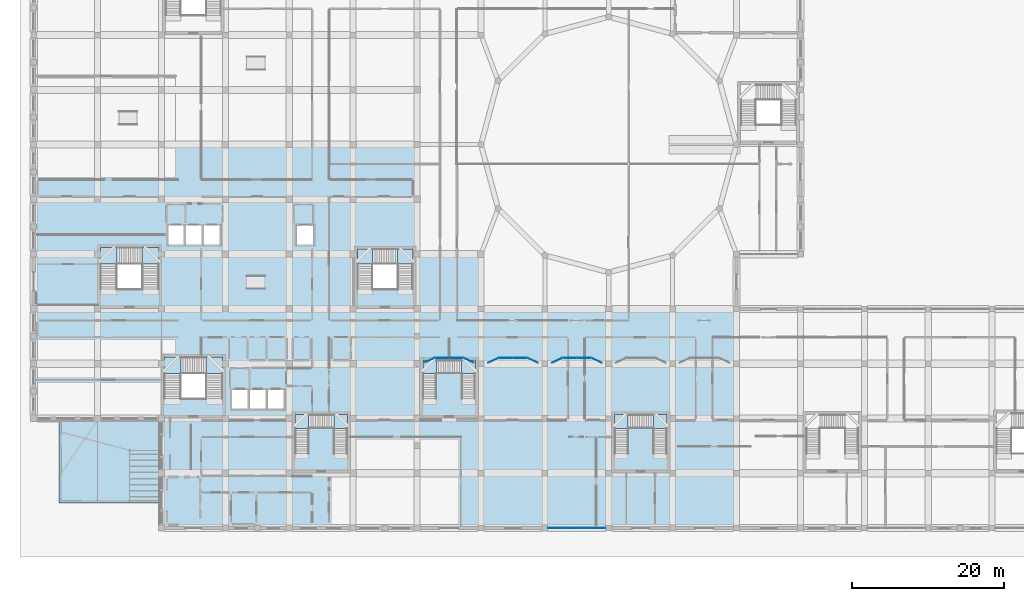
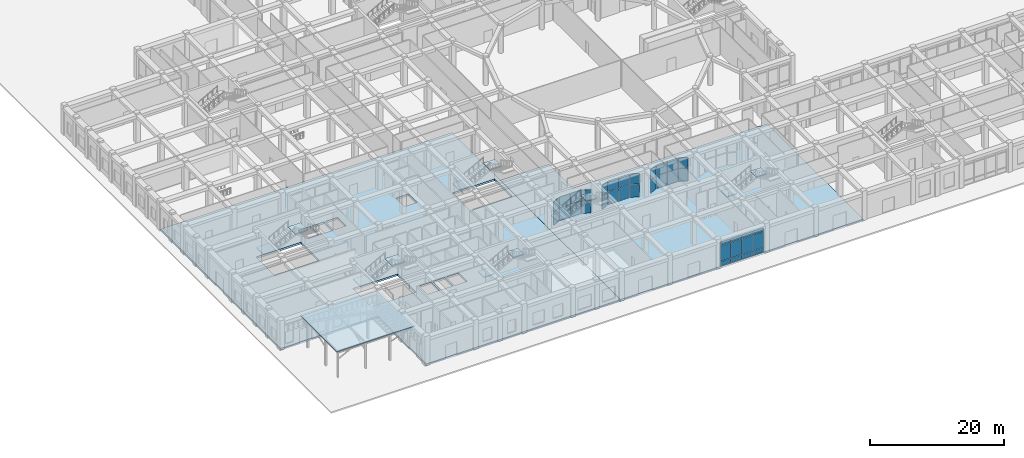
# One storey, part 51 of 84: 36 plates, 15 slabs, 16 elements without a shape of their own.
"""IFC4 building model written with IfcOpenShell, lengths in metres."""

from ifc_helpers import new_model, si_unit, derived_unit, direction, frame, origin, origin_2d, place, context, subcontext, project, spatial, polyline, rectangle, outline, extrude, material, layer, layer_set, type_object, element, aggregate, save


model = new_model("IFC4")

# Units and contexts
model_context = context("Model", 3, precision=1e-05, world=origin(), true_north=direction((0.0, 1.0)))
body_context = subcontext(model_context, "Body", "Model", "MODEL_VIEW")
ifc_project = project(units=[si_unit("LENGTHUNIT", "METRE"), si_unit("AREAUNIT", "SQUARE_METRE"), si_unit("VOLUMEUNIT", "CUBIC_METRE"), si_unit("PLANEANGLEUNIT", "RADIAN"), si_unit("MASSUNIT", "GRAM", prefix="KILO"), derived_unit("THERMALTRANSMITTANCEUNIT", [(si_unit("POWERUNIT", "WATT"), 1), (si_unit("LENGTHUNIT", "METRE"), -2), (si_unit("THERMODYNAMICTEMPERATUREUNIT", "KELVIN"), -1)])], contexts=[model_context])

# Site, building, storey
site_placement = place(None, origin())
site = spatial("IfcSite", under=ifc_project, at=site_placement, CompositionType="ELEMENT")
building_placement = place(site_placement, origin())
building = spatial("IfcBuilding", under=site, at=building_placement, Name="Veybourne Emporium", CompositionType="ELEMENT")
storey_placement = place(building_placement, origin())
storey = spatial("IfcBuildingStorey", under=building, at=storey_placement, Name="L00", CompositionType="ELEMENT", Elevation=0.0)

# Curtain wall, plates
ifc_material_1 = material(Name="Patinated Architectural Bronze", Category="bronze")
curtain_wall_type_1 = type_object("IfcCurtainWallType", Name="CWSystem_CWS-04", PredefinedType="NOTDEFINED", material=ifc_material_1)
curtain_wall_1_placement = place(storey_placement, origin())
curtain_wall_1 = element("IfcCurtainWall", 1, at=curtain_wall_1_placement, inside=storey, type_object=curtain_wall_type_1, Name="L00 bronze glazed curtain wall CWS-04 (033)", PredefinedType="NOTDEFINED")
ifc_material_2 = material(Name="Solar Control Laminated Glass", Category="glass")
ifc_layer_1 = layer(ifc_material_2, 0.035888671875)
ifc_layer_set_1 = layer_set([ifc_layer_1], Name="Solar Control Laminated Glass")
plate_type_1 = type_object("IfcPlateType", Name="CWPanel_CW-P2", PredefinedType="CURTAIN_PANEL", material=ifc_layer_set_1)
plate_1_placement = place(storey_placement, frame((74.2294921875, 0.0, 0.070068359375), z_axis=(0.0, 0.0, 1.0), x_axis=(-1.0, 0.0, 0.0)))
plate_1 = element("IfcPlate", 2, at=plate_1_placement, type_object=plate_type_1, Name="CWS-04 panel 1.1", PredefinedType="CURTAIN_PANEL", context=body_context, shape_type="SweptSolid", body=[
    extrude(rectangle(XDim=1.80126953125, YDim=0.035888671875, at=origin_2d()), origin(), (0.0, 0.0, 1.0), 0.794921875),
])
plate_2_placement = place(storey_placement, frame((74.2294921875, 0.0, 0.93505859375), z_axis=(0.0, 0.0, 1.0), x_axis=(-1.0, 0.0, 0.0)))
plate_2 = element("IfcPlate", 3, at=plate_2_placement, type_object=plate_type_1, Name="CWS-04 panel 1.2", PredefinedType="CURTAIN_PANEL", context=body_context, shape_type="SweptSolid", body=[
    extrude(rectangle(XDim=1.80126953125, YDim=0.035888671875, at=origin_2d()), origin(), (0.0, 0.0, 1.0), 2.81005859375),
])
plate_3_placement = place(storey_placement, frame((74.2294921875, 0.0, 3.81494140625), z_axis=(0.0, 0.0, 1.0), x_axis=(-1.0, 0.0, 0.0)))
plate_3 = element("IfcPlate", 4, at=plate_3_placement, type_object=plate_type_1, Name="CWS-04 panel 1.3", PredefinedType="CURTAIN_PANEL", context=body_context, shape_type="SweptSolid", body=[
    extrude(rectangle(XDim=1.80126953125, YDim=0.035888671875, at=origin_2d()), origin(), (0.0, 0.0, 1.0), 0.64501953125),
])
plate_4_placement = place(storey_placement, frame((72.340576171875, 0.0, 0.070068359375), z_axis=(0.0, 0.0, 1.0), x_axis=(-1.0, 0.0, 0.0)))
plate_4 = element("IfcPlate", 5, at=plate_4_placement, type_object=plate_type_1, Name="CWS-04 panel 2.1", PredefinedType="CURTAIN_PANEL", context=body_context, shape_type="SweptSolid", body=[
    extrude(rectangle(XDim=1.836181640625, YDim=0.035888671875, at=origin_2d()), origin(), (0.0, 0.0, 1.0), 0.794921875),
])
plate_5_placement = place(storey_placement, frame((72.340576171875, 0.0, 0.93505859375), z_axis=(0.0, 0.0, 1.0), x_axis=(-1.0, 0.0, 0.0)))
plate_5 = element("IfcPlate", 6, at=plate_5_placement, type_object=plate_type_1, Name="CWS-04 panel 2.2", PredefinedType="CURTAIN_PANEL", context=body_context, shape_type="SweptSolid", body=[
    extrude(rectangle(XDim=1.836181640625, YDim=0.035888671875, at=origin_2d()), origin(), (0.0, 0.0, 1.0), 2.81005859375),
])
plate_6_placement = place(storey_placement, frame((72.340576171875, 0.0, 3.81494140625), z_axis=(0.0, 0.0, 1.0), x_axis=(-1.0, 0.0, 0.0)))
plate_6 = element("IfcPlate", 7, at=plate_6_placement, type_object=plate_type_1, Name="CWS-04 panel 2.3", PredefinedType="CURTAIN_PANEL", context=body_context, shape_type="SweptSolid", body=[
    extrude(rectangle(XDim=1.836181640625, YDim=0.035888671875, at=origin_2d()), origin(), (0.0, 0.0, 1.0), 0.64501953125),
])
plate_7_placement = place(storey_placement, frame((70.434326171875, 0.0, 0.070068359375), z_axis=(0.0, 0.0, 1.0), x_axis=(-1.0, 0.0, 0.0)))
plate_7 = element("IfcPlate", 8, at=plate_7_placement, type_object=plate_type_1, Name="CWS-04 panel 3.1", PredefinedType="CURTAIN_PANEL", context=body_context, shape_type="SweptSolid", body=[
    extrude(rectangle(XDim=1.836181640625, YDim=0.035888671875, at=origin_2d()), origin(), (0.0, 0.0, 1.0), 0.794921875),
])
plate_8_placement = place(storey_placement, frame((70.434326171875, 0.0, 0.93505859375), z_axis=(0.0, 0.0, 1.0), x_axis=(-1.0, 0.0, 0.0)))
plate_8 = element("IfcPlate", 9, at=plate_8_placement, type_object=plate_type_1, Name="CWS-04 panel 3.2", PredefinedType="CURTAIN_PANEL", context=body_context, shape_type="SweptSolid", body=[
    extrude(rectangle(XDim=1.836181640625, YDim=0.035888671875, at=origin_2d()), origin(), (0.0, 0.0, 1.0), 2.81005859375),
])
plate_9_placement = place(storey_placement, frame((70.434326171875, 0.0, 3.81494140625), z_axis=(0.0, 0.0, 1.0), x_axis=(-1.0, 0.0, 0.0)))
plate_9 = element("IfcPlate", 10, at=plate_9_placement, type_object=plate_type_1, Name="CWS-04 panel 3.3", PredefinedType="CURTAIN_PANEL", context=body_context, shape_type="SweptSolid", body=[
    extrude(rectangle(XDim=1.836181640625, YDim=0.035888671875, at=origin_2d()), origin(), (0.0, 0.0, 1.0), 0.64501953125),
])
plate_10_placement = place(storey_placement, frame((68.545654296875, 0.0, 0.070068359375), z_axis=(0.0, 0.0, 1.0), x_axis=(-1.0, 0.0, 0.0)))
plate_10 = element("IfcPlate", 11, at=plate_10_placement, type_object=plate_type_1, Name="CWS-04 panel 4.1", PredefinedType="CURTAIN_PANEL", context=body_context, shape_type="SweptSolid", body=[
    extrude(rectangle(XDim=1.80126953125, YDim=0.035888671875, at=origin_2d()), origin(), (0.0, 0.0, 1.0), 0.794921875),
])
plate_11_placement = place(storey_placement, frame((68.545654296875, 0.0, 0.93505859375), z_axis=(0.0, 0.0, 1.0), x_axis=(-1.0, 0.0, 0.0)))
plate_11 = element("IfcPlate", 12, at=plate_11_placement, type_object=plate_type_1, Name="CWS-04 panel 4.2", PredefinedType="CURTAIN_PANEL", context=body_context, shape_type="SweptSolid", body=[
    extrude(rectangle(XDim=1.80126953125, YDim=0.035888671875, at=origin_2d()), origin(), (0.0, 0.0, 1.0), 2.81005859375),
])
plate_12_placement = place(storey_placement, frame((68.545654296875, 0.0, 3.81494140625), z_axis=(0.0, 0.0, 1.0), x_axis=(-1.0, 0.0, 0.0)))
plate_12 = element("IfcPlate", 13, at=plate_12_placement, type_object=plate_type_1, Name="CWS-04 panel 4.3", PredefinedType="CURTAIN_PANEL", context=body_context, shape_type="SweptSolid", body=[
    extrude(rectangle(XDim=1.80126953125, YDim=0.035888671875, at=origin_2d()), origin(), (0.0, 0.0, 1.0), 0.64501953125),
])
aggregate(curtain_wall_1, [plate_1, plate_2, plate_3, plate_4, plate_5, plate_6, plate_7, plate_8, plate_9, plate_10, plate_11, plate_12])

curtain_wall_type_2 = type_object("IfcCurtainWallType", Name="CWSystem_CWI-01", PredefinedType="NOTDEFINED", material=ifc_material_1)
curtain_wall_2_placement = place(storey_placement, origin())
curtain_wall_2 = element("IfcCurtainWall", 14, at=curtain_wall_2_placement, inside=storey, type_object=curtain_wall_type_2, Name="Arcade bow-front boutique shopfront L00 bay 6 facet 1", PredefinedType="NOTDEFINED")
ifc_layer_2 = layer(ifc_material_2, 0.02197265625)
ifc_layer_set_2 = layer_set([ifc_layer_2], Name="Solar Control Laminated Glass")
plate_type_2 = type_object("IfcPlateType", Name="CWPanel_CW-P3", PredefinedType="CURTAIN_PANEL", material=ifc_layer_set_2)
plate_13_placement = place(storey_placement, frame((52.0, 22.02490234375, 0.0498046875), z_axis=(0.0, 0.0, 1.0), x_axis=(0.907008967749, 0.421111306453, 0.0)))
plate_13 = element("IfcPlate", 15, at=plate_13_placement, type_object=plate_type_2, Name="CWI-01 panel 1.1", PredefinedType="CURTAIN_PANEL", context=body_context, shape_type="SweptSolid", body=[
    extrude(rectangle(XDim=1.443603515625, YDim=0.02197265625, at=origin_2d()), origin(), (0.0, 0.0, 1.0), 2.324951171875),
])
plate_14_placement = place(storey_placement, frame((52.0, 22.02490234375, 2.4248046875), z_axis=(0.0, 0.0, 1.0), x_axis=(0.907008967749, 0.421111306453, 0.0)))
plate_14 = element("IfcPlate", 16, at=plate_14_placement, type_object=plate_type_2, Name="CWI-01 panel 1.2", PredefinedType="CURTAIN_PANEL", context=body_context, shape_type="SweptSolid", body=[
    extrude(rectangle(XDim=1.443603515625, YDim=0.02197265625, at=origin_2d()), origin(), (0.0, 0.0, 1.0), 1.925048828125),
])
aggregate(curtain_wall_2, [plate_13, plate_14])

curtain_wall_type_3 = type_object("IfcCurtainWallType", Name="CWSystem_CWI-02", PredefinedType="NOTDEFINED", material=ifc_material_1)
curtain_wall_3_placement = place(storey_placement, origin())
curtain_wall_3 = element("IfcCurtainWall", 17, at=curtain_wall_3_placement, inside=storey, type_object=curtain_wall_type_3, Name="Arcade bow-front boutique shopfront L00 bay 6 facet 2", PredefinedType="NOTDEFINED")
plate_15_placement = place(storey_placement, frame((53.66259765625, 22.35009765625, 0.0498046875), z_axis=(0.0, 0.0, 1.0), x_axis=(1.0, 0.0, 0.0)))
plate_15 = element("IfcPlate", 18, at=plate_15_placement, type_object=plate_type_2, Name="CWI-02 panel 1.1", PredefinedType="CURTAIN_PANEL", context=body_context, shape_type="SweptSolid", body=[
    extrude(rectangle(XDim=1.824951171875, YDim=0.02197265625, at=origin_2d()), origin(), (0.0, 0.0, 1.0), 2.324951171875),
])
plate_16_placement = place(storey_placement, frame((53.66259765625, 22.35009765625, 2.4248046875), z_axis=(0.0, 0.0, 1.0), x_axis=(1.0, 0.0, 0.0)))
plate_16 = element("IfcPlate", 19, at=plate_16_placement, type_object=plate_type_2, Name="CWI-02 panel 1.2", PredefinedType="CURTAIN_PANEL", context=body_context, shape_type="SweptSolid", body=[
    extrude(rectangle(XDim=1.824951171875, YDim=0.02197265625, at=origin_2d()), origin(), (0.0, 0.0, 1.0), 1.925048828125),
])
plate_17_placement = place(storey_placement, frame((55.53759765625, 22.35009765625, 0.0498046875), z_axis=(0.0, 0.0, 1.0), x_axis=(1.0, 0.0, 0.0)))
plate_17 = element("IfcPlate", 20, at=plate_17_placement, type_object=plate_type_2, Name="CWI-02 panel 2.1", PredefinedType="CURTAIN_PANEL", context=body_context, shape_type="SweptSolid", body=[
    extrude(rectangle(XDim=1.824951171875, YDim=0.02197265625, at=origin_2d()), origin(), (0.0, 0.0, 1.0), 2.324951171875),
])
plate_18_placement = place(storey_placement, frame((55.53759765625, 22.35009765625, 2.4248046875), z_axis=(0.0, 0.0, 1.0), x_axis=(1.0, 0.0, 0.0)))
plate_18 = element("IfcPlate", 21, at=plate_18_placement, type_object=plate_type_2, Name="CWI-02 panel 2.2", PredefinedType="CURTAIN_PANEL", context=body_context, shape_type="SweptSolid", body=[
    extrude(rectangle(XDim=1.824951171875, YDim=0.02197265625, at=origin_2d()), origin(), (0.0, 0.0, 1.0), 1.925048828125),
])
aggregate(curtain_wall_3, [plate_15, plate_16, plate_17, plate_18])

curtain_wall_type_4 = type_object("IfcCurtainWallType", Name="CWSystem_CWI-03", PredefinedType="NOTDEFINED", material=ifc_material_1)
curtain_wall_4_placement = place(storey_placement, origin())
curtain_wall_4 = element("IfcCurtainWall", 22, at=curtain_wall_4_placement, inside=storey, type_object=curtain_wall_type_4, Name="Arcade bow-front boutique shopfront L00 bay 6 facet 3", PredefinedType="NOTDEFINED")
plate_19_placement = place(storey_placement, frame((57.199951171875, 22.02490234375, 0.0498046875), z_axis=(0.0, 0.0, 1.0), x_axis=(0.907008967749, -0.421111306453, 0.0)))
plate_19 = element("IfcPlate", 23, at=plate_19_placement, type_object=plate_type_2, Name="CWI-03 panel 1.1", PredefinedType="CURTAIN_PANEL", context=body_context, shape_type="SweptSolid", body=[
    extrude(rectangle(XDim=1.443603515625, YDim=0.02197265625, at=origin_2d()), origin(), (0.0, 0.0, 1.0), 2.324951171875),
])
plate_20_placement = place(storey_placement, frame((57.199951171875, 22.02490234375, 2.4248046875), z_axis=(0.0, 0.0, 1.0), x_axis=(0.907008967749, -0.421111306453, 0.0)))
plate_20 = element("IfcPlate", 24, at=plate_20_placement, type_object=plate_type_2, Name="CWI-03 panel 1.2", PredefinedType="CURTAIN_PANEL", context=body_context, shape_type="SweptSolid", body=[
    extrude(rectangle(XDim=1.443603515625, YDim=0.02197265625, at=origin_2d()), origin(), (0.0, 0.0, 1.0), 1.925048828125),
])
aggregate(curtain_wall_4, [plate_19, plate_20])

curtain_wall_5_placement = place(storey_placement, origin())
curtain_wall_5 = element("IfcCurtainWall", 25, at=curtain_wall_5_placement, inside=storey, type_object=curtain_wall_type_3, Name="Arcade bow-front boutique shopfront L00 bay 7 facet 1", PredefinedType="NOTDEFINED")
plate_21_placement = place(storey_placement, frame((60.39990234375, 22.02490234375, 0.0498046875), z_axis=(0.0, 0.0, 1.0), x_axis=(0.907008967749, 0.421111306453, 0.0)))
plate_21 = element("IfcPlate", 26, at=plate_21_placement, type_object=plate_type_2, Name="CWI-02 panel 1.1", PredefinedType="CURTAIN_PANEL", context=body_context, shape_type="SweptSolid", body=[
    extrude(rectangle(XDim=1.443603515625, YDim=0.02197265625, at=origin_2d()), origin(), (0.0, 0.0, 1.0), 2.324951171875),
])
plate_22_placement = place(storey_placement, frame((60.39990234375, 22.02490234375, 2.4248046875), z_axis=(0.0, 0.0, 1.0), x_axis=(0.907008967749, 0.421111306453, 0.0)))
plate_22 = element("IfcPlate", 27, at=plate_22_placement, type_object=plate_type_2, Name="CWI-02 panel 1.2", PredefinedType="CURTAIN_PANEL", context=body_context, shape_type="SweptSolid", body=[
    extrude(rectangle(XDim=1.443603515625, YDim=0.02197265625, at=origin_2d()), origin(), (0.0, 0.0, 1.0), 1.925048828125),
])
aggregate(curtain_wall_5, [plate_21, plate_22])

curtain_wall_6_placement = place(storey_placement, origin())
curtain_wall_6 = element("IfcCurtainWall", 28, at=curtain_wall_6_placement, inside=storey, type_object=curtain_wall_type_4, Name="Arcade bow-front boutique shopfront L00 bay 7 facet 2", PredefinedType="NOTDEFINED")
plate_23_placement = place(storey_placement, frame((62.0625, 22.35009765625, 0.0498046875), z_axis=(0.0, 0.0, 1.0), x_axis=(1.0, 0.0, 0.0)))
plate_23 = element("IfcPlate", 29, at=plate_23_placement, type_object=plate_type_2, Name="CWI-03 panel 1.1", PredefinedType="CURTAIN_PANEL", context=body_context, shape_type="SweptSolid", body=[
    extrude(rectangle(XDim=1.824951171875, YDim=0.02197265625, at=origin_2d()), origin(), (0.0, 0.0, 1.0), 2.324951171875),
])
plate_24_placement = place(storey_placement, frame((62.0625, 22.35009765625, 2.4248046875), z_axis=(0.0, 0.0, 1.0), x_axis=(1.0, 0.0, 0.0)))
plate_24 = element("IfcPlate", 30, at=plate_24_placement, type_object=plate_type_2, Name="CWI-03 panel 1.2", PredefinedType="CURTAIN_PANEL", context=body_context, shape_type="SweptSolid", body=[
    extrude(rectangle(XDim=1.824951171875, YDim=0.02197265625, at=origin_2d()), origin(), (0.0, 0.0, 1.0), 1.925048828125),
])
plate_25_placement = place(storey_placement, frame((63.9375, 22.35009765625, 0.0498046875), z_axis=(0.0, 0.0, 1.0), x_axis=(1.0, 0.0, 0.0)))
plate_25 = element("IfcPlate", 31, at=plate_25_placement, type_object=plate_type_2, Name="CWI-03 panel 2.1", PredefinedType="CURTAIN_PANEL", context=body_context, shape_type="SweptSolid", body=[
    extrude(rectangle(XDim=1.824951171875, YDim=0.02197265625, at=origin_2d()), origin(), (0.0, 0.0, 1.0), 2.324951171875),
])
plate_26_placement = place(storey_placement, frame((63.9375, 22.35009765625, 2.4248046875), z_axis=(0.0, 0.0, 1.0), x_axis=(1.0, 0.0, 0.0)))
plate_26 = element("IfcPlate", 32, at=plate_26_placement, type_object=plate_type_2, Name="CWI-03 panel 2.2", PredefinedType="CURTAIN_PANEL", context=body_context, shape_type="SweptSolid", body=[
    extrude(rectangle(XDim=1.824951171875, YDim=0.02197265625, at=origin_2d()), origin(), (0.0, 0.0, 1.0), 1.925048828125),
])
aggregate(curtain_wall_6, [plate_23, plate_24, plate_25, plate_26])

curtain_wall_type_5 = type_object("IfcCurtainWallType", Name="CWSystem_CWI-04", PredefinedType="NOTDEFINED", material=ifc_material_1)
curtain_wall_7_placement = place(storey_placement, origin())
curtain_wall_7 = element("IfcCurtainWall", 33, at=curtain_wall_7_placement, inside=storey, type_object=curtain_wall_type_5, Name="Arcade bow-front boutique shopfront L00 bay 7 facet 3", PredefinedType="NOTDEFINED")
plate_27_placement = place(storey_placement, frame((65.60009765625, 22.02490234375, 0.0498046875), z_axis=(0.0, 0.0, 1.0), x_axis=(0.907008967749, -0.421111306453, 0.0)))
plate_27 = element("IfcPlate", 34, at=plate_27_placement, type_object=plate_type_2, Name="CWI-04 panel 1.1", PredefinedType="CURTAIN_PANEL", context=body_context, shape_type="SweptSolid", body=[
    extrude(rectangle(XDim=1.443603515625, YDim=0.02197265625, at=origin_2d()), origin(), (0.0, 0.0, 1.0), 2.324951171875),
])
plate_28_placement = place(storey_placement, frame((65.60009765625, 22.02490234375, 2.4248046875), z_axis=(0.0, 0.0, 1.0), x_axis=(0.907008967749, -0.421111306453, 0.0)))
plate_28 = element("IfcPlate", 35, at=plate_28_placement, type_object=plate_type_2, Name="CWI-04 panel 1.2", PredefinedType="CURTAIN_PANEL", context=body_context, shape_type="SweptSolid", body=[
    extrude(rectangle(XDim=1.443603515625, YDim=0.02197265625, at=origin_2d()), origin(), (0.0, 0.0, 1.0), 1.925048828125),
])
aggregate(curtain_wall_7, [plate_27, plate_28])

curtain_wall_8_placement = place(storey_placement, origin())
curtain_wall_8 = element("IfcCurtainWall", 36, at=curtain_wall_8_placement, inside=storey, type_object=curtain_wall_type_4, Name="Arcade bow-front boutique shopfront L00 bay 8 facet 1", PredefinedType="NOTDEFINED")
plate_29_placement = place(storey_placement, frame((68.800048828125, 22.02490234375, 0.0498046875), z_axis=(0.0, 0.0, 1.0), x_axis=(0.907008967749, 0.421111306453, 0.0)))
plate_29 = element("IfcPlate", 37, at=plate_29_placement, type_object=plate_type_2, Name="CWI-03 panel 1.1", PredefinedType="CURTAIN_PANEL", context=body_context, shape_type="SweptSolid", body=[
    extrude(rectangle(XDim=1.443603515625, YDim=0.02197265625, at=origin_2d()), origin(), (0.0, 0.0, 1.0), 2.324951171875),
])
plate_30_placement = place(storey_placement, frame((68.800048828125, 22.02490234375, 2.4248046875), z_axis=(0.0, 0.0, 1.0), x_axis=(0.907008967749, 0.421111306453, 0.0)))
plate_30 = element("IfcPlate", 38, at=plate_30_placement, type_object=plate_type_2, Name="CWI-03 panel 1.2", PredefinedType="CURTAIN_PANEL", context=body_context, shape_type="SweptSolid", body=[
    extrude(rectangle(XDim=1.443603515625, YDim=0.02197265625, at=origin_2d()), origin(), (0.0, 0.0, 1.0), 1.925048828125),
])
aggregate(curtain_wall_8, [plate_29, plate_30])

curtain_wall_9_placement = place(storey_placement, origin())
curtain_wall_9 = element("IfcCurtainWall", 39, at=curtain_wall_9_placement, inside=storey, type_object=curtain_wall_type_5, Name="Arcade bow-front boutique shopfront L00 bay 8 facet 2", PredefinedType="NOTDEFINED")
plate_31_placement = place(storey_placement, frame((70.46240234375, 22.35009765625, 0.0498046875), z_axis=(0.0, 0.0, 1.0), x_axis=(1.0, 0.0, 0.0)))
plate_31 = element("IfcPlate", 40, at=plate_31_placement, type_object=plate_type_2, Name="CWI-04 panel 1.1", PredefinedType="CURTAIN_PANEL", context=body_context, shape_type="SweptSolid", body=[
    extrude(rectangle(XDim=1.824951171875, YDim=0.02197265625, at=origin_2d()), origin(), (0.0, 0.0, 1.0), 2.324951171875),
])
plate_32_placement = place(storey_placement, frame((70.46240234375, 22.35009765625, 2.4248046875), z_axis=(0.0, 0.0, 1.0), x_axis=(1.0, 0.0, 0.0)))
plate_32 = element("IfcPlate", 41, at=plate_32_placement, type_object=plate_type_2, Name="CWI-04 panel 1.2", PredefinedType="CURTAIN_PANEL", context=body_context, shape_type="SweptSolid", body=[
    extrude(rectangle(XDim=1.824951171875, YDim=0.02197265625, at=origin_2d()), origin(), (0.0, 0.0, 1.0), 1.925048828125),
])
plate_33_placement = place(storey_placement, frame((72.33740234375, 22.35009765625, 0.0498046875), z_axis=(0.0, 0.0, 1.0), x_axis=(1.0, 0.0, 0.0)))
plate_33 = element("IfcPlate", 42, at=plate_33_placement, type_object=plate_type_2, Name="CWI-04 panel 2.1", PredefinedType="CURTAIN_PANEL", context=body_context, shape_type="SweptSolid", body=[
    extrude(rectangle(XDim=1.824951171875, YDim=0.02197265625, at=origin_2d()), origin(), (0.0, 0.0, 1.0), 2.324951171875),
])
plate_34_placement = place(storey_placement, frame((72.33740234375, 22.35009765625, 2.4248046875), z_axis=(0.0, 0.0, 1.0), x_axis=(1.0, 0.0, 0.0)))
plate_34 = element("IfcPlate", 43, at=plate_34_placement, type_object=plate_type_2, Name="CWI-04 panel 2.2", PredefinedType="CURTAIN_PANEL", context=body_context, shape_type="SweptSolid", body=[
    extrude(rectangle(XDim=1.824951171875, YDim=0.02197265625, at=origin_2d()), origin(), (0.0, 0.0, 1.0), 1.925048828125),
])
aggregate(curtain_wall_9, [plate_31, plate_32, plate_33, plate_34])

curtain_wall_type_6 = type_object("IfcCurtainWallType", Name="CWSystem_CWI-05", PredefinedType="NOTDEFINED", material=ifc_material_1)
curtain_wall_10_placement = place(storey_placement, origin())
curtain_wall_10 = element("IfcCurtainWall", 44, at=curtain_wall_10_placement, inside=storey, type_object=curtain_wall_type_6, Name="Arcade bow-front boutique shopfront L00 bay 8 facet 3", PredefinedType="NOTDEFINED")
plate_35_placement = place(storey_placement, frame((74.0, 22.02490234375, 0.0498046875), z_axis=(0.0, 0.0, 1.0), x_axis=(0.907008967749, -0.421111306453, 0.0)))
plate_35 = element("IfcPlate", 45, at=plate_35_placement, type_object=plate_type_2, Name="CWI-05 panel 1.1", PredefinedType="CURTAIN_PANEL", context=body_context, shape_type="SweptSolid", body=[
    extrude(rectangle(XDim=1.443603515625, YDim=0.02197265625, at=origin_2d()), origin(), (0.0, 0.0, 1.0), 2.324951171875),
])
plate_36_placement = place(storey_placement, frame((74.0, 22.02490234375, 2.4248046875), z_axis=(0.0, 0.0, 1.0), x_axis=(0.907008967749, -0.421111306453, 0.0)))
plate_36 = element("IfcPlate", 46, at=plate_36_placement, type_object=plate_type_2, Name="CWI-05 panel 1.2", PredefinedType="CURTAIN_PANEL", context=body_context, shape_type="SweptSolid", body=[
    extrude(rectangle(XDim=1.443603515625, YDim=0.02197265625, at=origin_2d()), origin(), (0.0, 0.0, 1.0), 1.925048828125),
])
aggregate(curtain_wall_10, [plate_35, plate_36])

# Stair, slabs
ifc_material_3 = material(Name="Concrete C32/40", Category="concrete")
stair_type_1 = type_object("IfcStairType", Name="Stair_ST-01-R36", PredefinedType="TWO_QUARTER_TURN_STAIR", material=ifc_material_3)
stair_1_placement = place(storey_placement, origin())
stair_1 = element("IfcStair", 47, at=stair_1_placement, inside=storey, type_object=stair_type_1, Name="L00 stair ST-01", PredefinedType="TWO_QUARTER_TURN_STAIR")
ifc_layer_3 = layer(ifc_material_3, 0.199951171875)
ifc_layer_set_3 = layer_set([ifc_layer_3], Name="Concrete C32/40")
slab_type_1 = type_object("IfcSlabType", Name="Landing_LDG-01", PredefinedType="LANDING", material=ifc_layer_set_3)
slab_1_placement = place(storey_placement, frame((0.0, 0.0, 1.60009765625)))
slab_1 = element("IfcSlab", 48, at=slab_1_placement, type_object=slab_type_1, Name="ST-01-R36 landing 1", PredefinedType="LANDING", context=body_context, shape_type="SweptSolid", body=[
    extrude(outline(polyline([(17.14990234375, 20.300048828125), (19.35009765625, 20.300048828125), (19.35009765625, 22.5), (17.14990234375, 22.5), (17.14990234375, 20.300048828125)])), origin(), (0.0, 0.0, 1.0), 0.199951171875),
])
slab_2_placement = place(storey_placement, frame((0.0, 0.0, 3.39990234375)))
slab_2 = element("IfcSlab", 49, at=slab_2_placement, type_object=slab_type_1, Name="ST-01-R36 landing 2", PredefinedType="LANDING", context=body_context, shape_type="SweptSolid", body=[
    extrude(outline(polyline([(22.64990234375, 20.300048828125), (24.85009765625, 20.300048828125), (24.85009765625, 22.5), (22.64990234375, 22.5), (22.64990234375, 20.300048828125)])), origin(), (0.0, 0.0, 1.0), 0.2001953125),
])
aggregate(stair_1, [slab_1, slab_2])

stair_type_2 = type_object("IfcStairType", Name="Stair_ST-02-R36", PredefinedType="TWO_QUARTER_TURN_STAIR", material=ifc_material_3)
stair_2_placement = place(storey_placement, origin())
stair_2 = element("IfcStair", 50, at=stair_2_placement, inside=storey, type_object=stair_type_2, Name="L00 stair ST-02", PredefinedType="TWO_QUARTER_TURN_STAIR")
slab_3_placement = place(storey_placement, frame((0.0, 0.0, 1.60009765625)))
slab_3 = element("IfcSlab", 51, at=slab_3_placement, type_object=slab_type_1, Name="ST-02-R36 landing 1", PredefinedType="LANDING", context=body_context, shape_type="SweptSolid", body=[
    extrude(outline(polyline([(8.75, 34.699951171875), (10.949951171875, 34.699951171875), (10.949951171875, 36.89990234375), (8.75, 36.89990234375), (8.75, 34.699951171875)])), origin(), (0.0, 0.0, 1.0), 0.199951171875),
])
slab_4_placement = place(storey_placement, frame((0.0, 0.0, 3.39990234375)))
slab_4 = element("IfcSlab", 52, at=slab_4_placement, type_object=slab_type_1, Name="ST-02-R36 landing 2", PredefinedType="LANDING", context=body_context, shape_type="SweptSolid", body=[
    extrude(outline(polyline([(14.25, 34.699951171875), (16.449951171875, 34.699951171875), (16.449951171875, 36.89990234375), (14.25, 36.89990234375), (14.25, 34.699951171875)])), origin(), (0.0, 0.0, 1.0), 0.2001953125),
])
aggregate(stair_2, [slab_3, slab_4])

stair_type_3 = type_object("IfcStairType", Name="Stair_ST-05-R36", PredefinedType="TWO_QUARTER_TURN_STAIR", material=ifc_material_3)
stair_3_placement = place(storey_placement, origin())
stair_3 = element("IfcStair", 53, at=stair_3_placement, inside=storey, type_object=stair_type_3, Name="L00 stair ST-05", PredefinedType="TWO_QUARTER_TURN_STAIR")
slab_5_placement = place(storey_placement, frame((0.0, 0.0, 1.60009765625)))
slab_5 = element("IfcSlab", 54, at=slab_5_placement, type_object=slab_type_1, Name="ST-05-R36 landing 1", PredefinedType="LANDING", context=body_context, shape_type="SweptSolid", body=[
    extrude(outline(polyline([(42.550048828125, 34.699951171875), (44.550048828125, 34.699951171875), (44.550048828125, 36.699951171875), (42.550048828125, 36.699951171875), (42.550048828125, 34.699951171875)])), origin(), (0.0, 0.0, 1.0), 0.199951171875),
])
slab_6_placement = place(storey_placement, frame((0.0, 0.0, 3.39990234375)))
slab_6 = element("IfcSlab", 55, at=slab_6_placement, type_object=slab_type_1, Name="ST-05-R36 landing 2", PredefinedType="LANDING", context=body_context, shape_type="SweptSolid", body=[
    extrude(outline(polyline([(47.85009765625, 34.699951171875), (49.85009765625, 34.699951171875), (49.85009765625, 36.699951171875), (47.85009765625, 36.699951171875), (47.85009765625, 34.699951171875)])), origin(), (0.0, 0.0, 1.0), 0.2001953125),
])
aggregate(stair_3, [slab_5, slab_6])

stair_type_4 = type_object("IfcStairType", Name="Stair_ST-09-R36", PredefinedType="HALF_TURN_STAIR", material=ifc_material_3)
stair_4_placement = place(storey_placement, origin())
stair_4 = element("IfcStair", 56, at=stair_4_placement, inside=storey, type_object=stair_type_4, Name="L00 stair ST-09", PredefinedType="HALF_TURN_STAIR")
ifc_layer_4 = layer(ifc_material_3, 0.179931640625)
ifc_layer_set_4 = layer_set([ifc_layer_4], Name="Concrete C32/40")
slab_type_2 = type_object("IfcSlabType", Name="Landing_LDG-02", PredefinedType="LANDING", material=ifc_layer_set_4)
slab_7_placement = place(storey_placement, frame((0.0, 0.0, 1.6201171875)))
slab_7 = element("IfcSlab", 57, at=slab_7_placement, type_object=slab_type_2, Name="ST-09-R36 landing 1", PredefinedType="LANDING", context=body_context, shape_type="SweptSolid", body=[
    extrude(outline(polyline([(51.14990234375, 20.300048828125), (52.949951171875, 20.300048828125), (52.949951171875, 22.10009765625), (51.14990234375, 22.10009765625), (51.14990234375, 20.300048828125)])), origin(), (0.0, 0.0, 1.0), 0.179931640625),
])
slab_8_placement = place(storey_placement, frame((0.0, 0.0, 3.419921875)))
slab_8 = element("IfcSlab", 58, at=slab_8_placement, type_object=slab_type_2, Name="ST-09-R36 landing 2", PredefinedType="LANDING", context=body_context, shape_type="SweptSolid", body=[
    extrude(outline(polyline([(56.25, 20.300048828125), (58.050048828125, 20.300048828125), (58.050048828125, 22.10009765625), (56.25, 22.10009765625), (56.25, 20.300048828125)])), origin(), (0.0, 0.0, 1.0), 0.18017578125),
])
aggregate(stair_4, [slab_7, slab_8])

stair_type_5 = type_object("IfcStairType", Name="Stair_ST-10-R36", PredefinedType="HALF_TURN_STAIR", material=ifc_material_3)
stair_5_placement = place(storey_placement, origin())
stair_5 = element("IfcStair", 59, at=stair_5_placement, inside=storey, type_object=stair_type_5, Name="L00 stair ST-10", PredefinedType="HALF_TURN_STAIR")
slab_9_placement = place(storey_placement, frame((0.0, 0.0, 1.6201171875)))
slab_9 = element("IfcSlab", 60, at=slab_9_placement, type_object=slab_type_2, Name="ST-10-R36 landing 1", PredefinedType="LANDING", context=body_context, shape_type="SweptSolid", body=[
    extrude(outline(polyline([(76.35009765625, 13.10009765625), (78.14990234375, 13.10009765625), (78.14990234375, 14.89990234375), (76.35009765625, 14.89990234375), (76.35009765625, 13.10009765625)])), origin(), (0.0, 0.0, 1.0), 0.179931640625),
])
slab_10_placement = place(storey_placement, frame((0.0, 0.0, 3.419921875)))
slab_10 = element("IfcSlab", 61, at=slab_10_placement, type_object=slab_type_2, Name="ST-10-R36 landing 2", PredefinedType="LANDING", context=body_context, shape_type="SweptSolid", body=[
    extrude(outline(polyline([(81.449951171875, 13.10009765625), (83.25, 13.10009765625), (83.25, 14.89990234375), (81.449951171875, 14.89990234375), (81.449951171875, 13.10009765625)])), origin(), (0.0, 0.0, 1.0), 0.18017578125),
])
aggregate(stair_5, [slab_9, slab_10])

stair_type_6 = type_object("IfcStairType", Name="Stair_ST-12-R36", PredefinedType="HALF_TURN_STAIR", material=ifc_material_3)
stair_6_placement = place(storey_placement, origin())
stair_6 = element("IfcStair", 62, at=stair_6_placement, inside=storey, type_object=stair_type_6, Name="L00 stair ST-12", PredefinedType="HALF_TURN_STAIR")
slab_11_placement = place(storey_placement, frame((0.0, 0.0, 1.6201171875)))
slab_11 = element("IfcSlab", 63, at=slab_11_placement, type_object=slab_type_2, Name="ST-12-R36 landing 1", PredefinedType="LANDING", context=body_context, shape_type="SweptSolid", body=[
    extrude(outline(polyline([(34.35009765625, 13.10009765625), (36.14990234375, 13.10009765625), (36.14990234375, 14.89990234375), (34.35009765625, 14.89990234375), (34.35009765625, 13.10009765625)])), origin(), (0.0, 0.0, 1.0), 0.179931640625),
])
slab_12_placement = place(storey_placement, frame((0.0, 0.0, 3.419921875)))
slab_12 = element("IfcSlab", 64, at=slab_12_placement, type_object=slab_type_2, Name="ST-12-R36 landing 2", PredefinedType="LANDING", context=body_context, shape_type="SweptSolid", body=[
    extrude(outline(polyline([(39.449951171875, 13.10009765625), (41.25, 13.10009765625), (41.25, 14.89990234375), (39.449951171875, 14.89990234375), (39.449951171875, 13.10009765625)])), origin(), (0.0, 0.0, 1.0), 0.18017578125),
])
aggregate(stair_6, [slab_11, slab_12])

# Slabs
ifc_layer_5 = layer(ifc_material_3, 0.35009765625)
ifc_layer_set_5 = layer_set([ifc_layer_5], Name="Concrete C32/40")
slab_type_3 = type_object("IfcSlabType", Name="Slab_FS-01", PredefinedType="FLOOR", material=ifc_layer_set_5)
slab_13_placement = place(storey_placement, frame((0.0, 0.0, -0.35009765625)))
element("IfcSlab", 65, at=slab_13_placement, inside=storey, type_object=slab_type_3, Name="L00 floor slab FS-01 (V1.1)", PredefinedType="FLOOR", context=body_context, shape_type="SweptSolid", body=[
    extrude(outline(polyline([(0.0, 14.39990234375), (0.0, 21.60009765625), (0.0, 28.800048828125), (0.0, 36.0), (0.0, 43.199951171875), (0.0, 50.39990234375), (8.39990234375, 50.39990234375), (16.800048828125, 50.39990234375), (25.199951171875, 50.39990234375), (33.60009765625, 50.39990234375), (42.0, 50.39990234375), (50.39990234375, 50.39990234375), (50.39990234375, 43.199951171875), (50.39990234375, 36.0), (50.39990234375, 28.800048828125), (50.39990234375, 21.60009765625), (50.39990234375, 14.39990234375), (50.39990234375, 7.199951171875), (50.39990234375, 0.0), (42.0, 0.0), (33.60009765625, 0.0), (25.199951171875, 0.0), (16.800048828125, 0.0), (16.800048828125, 7.199951171875), (16.800048828125, 14.39990234375), (8.39990234375, 14.39990234375), (0.0, 14.39990234375)]), holes=[polyline([(28.159912109375, 15.64990234375), (28.159912109375, 18.14990234375), (26.06005859375, 18.14990234375), (26.06005859375, 15.64990234375), (28.159912109375, 15.64990234375)]), polyline([(30.52001953125, 15.64990234375), (30.52001953125, 18.14990234375), (28.39990234375, 18.14990234375), (28.39990234375, 15.64990234375), (30.52001953125, 15.64990234375)]), polyline([(32.8798828125, 15.64990234375), (32.8798828125, 18.14990234375), (30.760009765625, 18.14990234375), (30.760009765625, 15.64990234375), (32.8798828125, 15.64990234375)]), polyline([(17.14990234375, 17.0), (24.85009765625, 17.0), (24.85009765625, 22.5), (17.14990234375, 22.5), (17.14990234375, 17.0)]), polyline([(42.550048828125, 31.39990234375), (49.85009765625, 31.39990234375), (49.85009765625, 36.699951171875), (42.550048828125, 36.699951171875), (42.550048828125, 31.39990234375)]), polyline([(16.449951171875, 31.39990234375), (16.449951171875, 36.89990234375), (8.75, 36.89990234375), (8.75, 31.39990234375), (16.449951171875, 31.39990234375)]), polyline([(19.760009765625, 37.25), (19.760009765625, 39.75), (17.659912109375, 39.75), (17.659912109375, 37.25), (19.760009765625, 37.25)]), polyline([(22.1201171875, 37.25), (22.1201171875, 39.75), (20.0, 39.75), (20.0, 37.25), (22.1201171875, 37.25)]), polyline([(22.360107421875, 37.25), (24.47998046875, 37.25), (24.47998046875, 39.75), (22.360107421875, 39.75), (22.360107421875, 37.25)]), polyline([(34.56005859375, 37.25), (36.760009765625, 37.25), (36.760009765625, 39.75), (34.56005859375, 39.75), (34.56005859375, 37.25)])]), origin(), (0.0, 0.0, 1.0), 0.35009765625),
])
slab_14_placement = place(storey_placement, frame((0.0, 0.0, -0.35009765625)))
element("IfcSlab", 66, at=slab_14_placement, inside=storey, type_object=slab_type_3, Name="L00 floor slab FS-01 (V3.1)", PredefinedType="FLOOR", context=body_context, shape_type="SweptSolid", body=[
    extrude(outline(polyline([(50.39990234375, 28.800048828125), (50.39990234375, 36.0), (58.800048828125, 36.0), (58.800048828125, 28.800048828125), (67.199951171875, 28.800048828125), (75.60009765625, 28.800048828125), (84.0, 28.800048828125), (92.39990234375, 28.800048828125), (92.39990234375, 21.60009765625), (92.39990234375, 14.39990234375), (92.39990234375, 7.199951171875), (92.39990234375, 0.0), (84.0, 0.0), (75.60009765625, 0.0), (67.199951171875, 0.0), (58.800048828125, 0.0), (50.39990234375, 0.0), (50.39990234375, 7.199951171875), (50.39990234375, 14.39990234375), (50.39990234375, 21.60009765625), (50.39990234375, 28.800048828125)])), origin(), (0.0, 0.0, 1.0), 0.35009765625),
])
ifc_layer_6 = layer(ifc_material_3, 0.179931640625)
ifc_layer_set_6 = layer_set([ifc_layer_6], Name="Concrete C32/40")
slab_type_4 = type_object("IfcSlabType", Name="Slab_RS-03", PredefinedType="ROOF", material=ifc_layer_set_6)
slab_15_placement = place(storey_placement, frame((0.0, 0.0, 4.820068359375)))
element("IfcSlab", 67, at=slab_15_placement, inside=storey, type_object=slab_type_4, Name="SW corner entrance marquee canopy slab", PredefinedType="ROOF", context=body_context, shape_type="SweptSolid", body=[
    extrude(outline(polyline([(16.75, 3.300048828125), (16.75, 14.35009765625), (3.300048828125, 14.35009765625), (3.300048828125, 3.300048828125), (16.75, 3.300048828125)])), origin(), (0.0, 0.0, 1.0), 0.179931640625),
])

save(model, "model.ifc")
